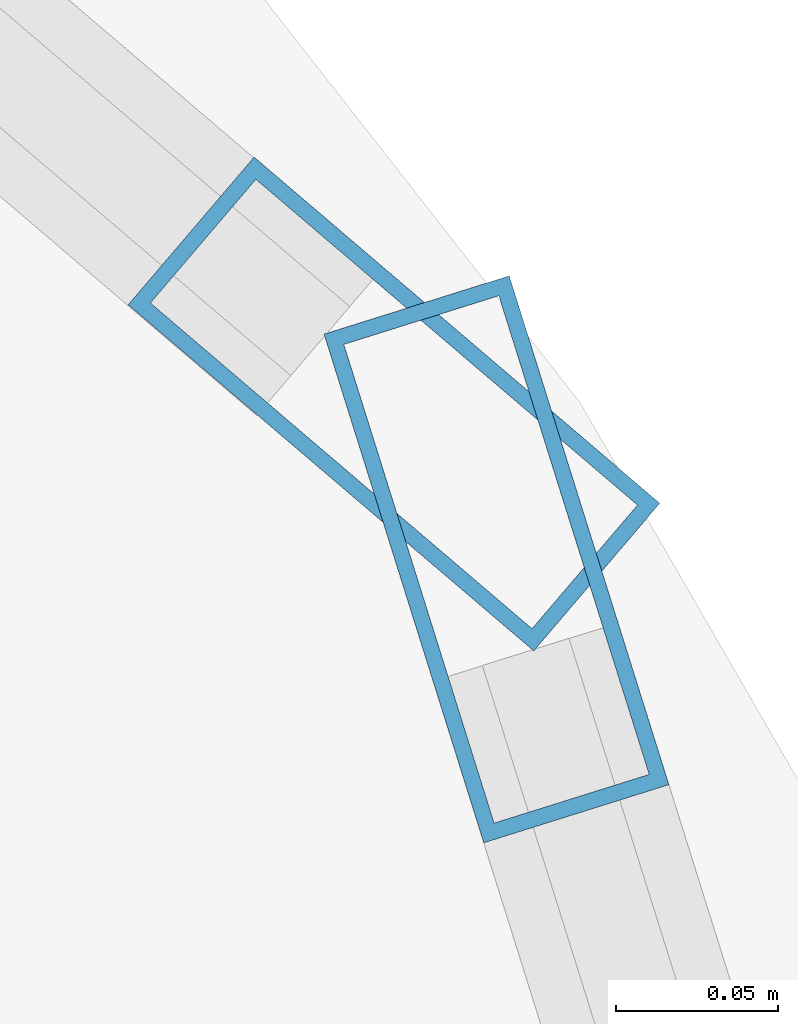
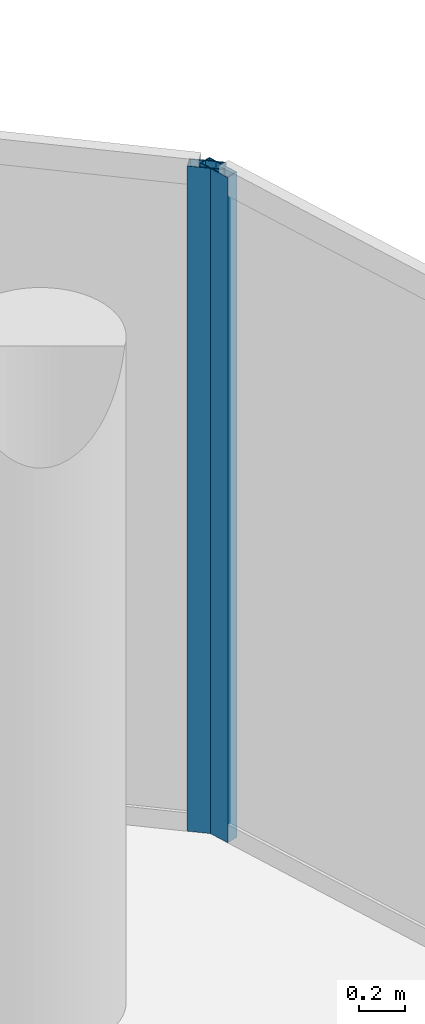
# One storey, part 14 of 24: 2 members, 2 elements without a shape of their own.
"""IFC4 building model written with IfcOpenShell, lengths in metres."""

from ifc_helpers import new_model, si_unit, direction, frame, origin, origin_2d, place, context, subcontext, project, spatial, hollow_rectangle, extrude, material, layer, layer_set, material_profile, profile_set, type_object, element, aggregate, save


model = new_model("IFC4")

# Units and contexts
model_context = context("Model", 3, precision=1e-05, world=origin(), true_north=direction((0.0, 1.0)))
body_context = subcontext(model_context, "Body", "Model", "MODEL_VIEW")
ifc_project = project(units=[si_unit("LENGTHUNIT", "METRE"), si_unit("AREAUNIT", "SQUARE_METRE"), si_unit("VOLUMEUNIT", "CUBIC_METRE"), si_unit("PLANEANGLEUNIT", "RADIAN"), si_unit("MASSUNIT", "GRAM", prefix="KILO")], contexts=[model_context])

# Site, building, storey
site_placement = place(None, origin())
site = spatial("IfcSite", under=ifc_project, at=site_placement, CompositionType="ELEMENT")
building_placement = place(site_placement, origin())
building = spatial("IfcBuilding", under=site, at=building_placement, Name="Nuhasar Tower", CompositionType="ELEMENT")
storey_placement = place(building_placement, frame((0.0, 0.0, 267.0)))
storey = spatial("IfcBuildingStorey", under=building, at=storey_placement, Name="L66", CompositionType="ELEMENT", Elevation=267.0)

# Curtain wall, member
ifc_material = material(Name="Aluminium 6063-T6", Category="aluminium")
ifc_layer = layer(ifc_material, 0.18994140625)
ifc_layer_set = layer_set([ifc_layer], Name="Aluminium 6063-T6")
curtain_wall_type = type_object("IfcCurtainWallType", Name="CW-Z4-PEN", PredefinedType="NOTDEFINED", material=ifc_layer_set)
curtain_wall_1_placement = place(storey_placement, origin())
curtain_wall_1 = element("IfcCurtainWall", 1, at=curtain_wall_1_placement, inside=storey, type_object=curtain_wall_type, Name="L66 Unitised Curtain Wall 01", PredefinedType="NOTDEFINED")
ifc_material_profile = material_profile(ifc_material, hollow_rectangle(XDim=0.06005859375, YDim=0.1650390625, WallThickness=0.0048828125, at=origin_2d()), Name="CWM-5")
ifc_profile_set = profile_set([ifc_material_profile], Name="Aluminium 6063-T6")
member_type = type_object("IfcMemberType", Name="CW-MUL-S5", PredefinedType="MULLION", material=ifc_profile_set)
member_1_placement = place(storey_placement, frame((56.72802734375, 35.50146484375, 0.0), z_axis=(0.0, 0.0, 1.0), x_axis=(-0.954078526601, -0.299556614146, 0.0)))
member_1 = element("IfcMember", 2, at=member_1_placement, type_object=member_type, Name="CW-Z4 mullion 2", PredefinedType="MULLION", context=body_context, shape_type="SweptSolid", body=[
    extrude(hollow_rectangle(XDim=0.06005859375, YDim=0.1650390625, WallThickness=0.0048828125, at=origin_2d()), origin(), (0.0, 0.0, 1.0), 3.5400390625),
])
aggregate(curtain_wall_1, [member_1])

curtain_wall_2_placement = place(storey_placement, origin())
curtain_wall_2 = element("IfcCurtainWall", 3, at=curtain_wall_2_placement, inside=storey, type_object=curtain_wall_type, Name="L66 Unitised Curtain Wall 02", PredefinedType="NOTDEFINED")
member_2_placement = place(storey_placement, frame((56.6962890625, 35.549560546875, 0.0), z_axis=(0.0, 0.0, 1.0), x_axis=(-0.649141996205, -0.760667252327, 0.0)))
member_2 = element("IfcMember", 4, at=member_2_placement, type_object=member_type, Name="CW-Z4 mullion 1", PredefinedType="MULLION", context=body_context, shape_type="SweptSolid", body=[
    extrude(hollow_rectangle(XDim=0.06005859375, YDim=0.1650390625, WallThickness=0.0048828125, at=origin_2d()), origin(), (0.0, 0.0, 1.0), 3.5400390625),
])
aggregate(curtain_wall_2, [member_2])

save(model, "model.ifc")
